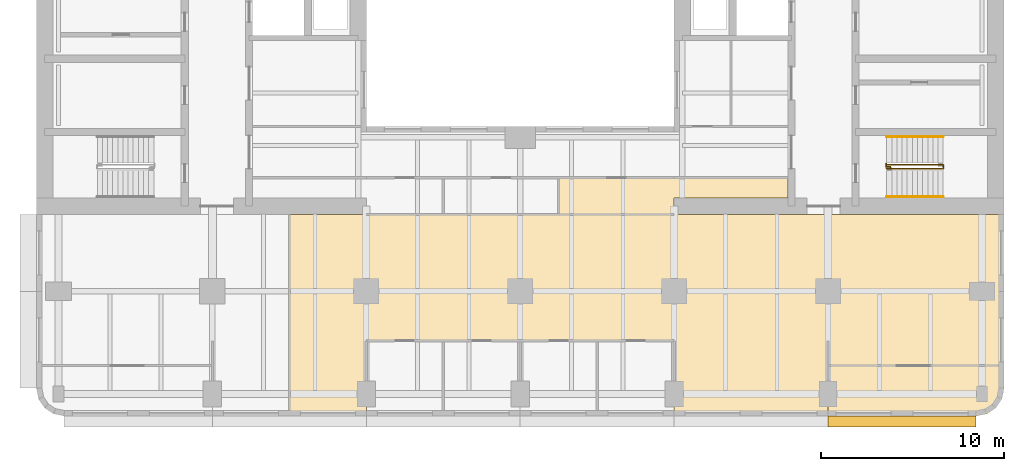
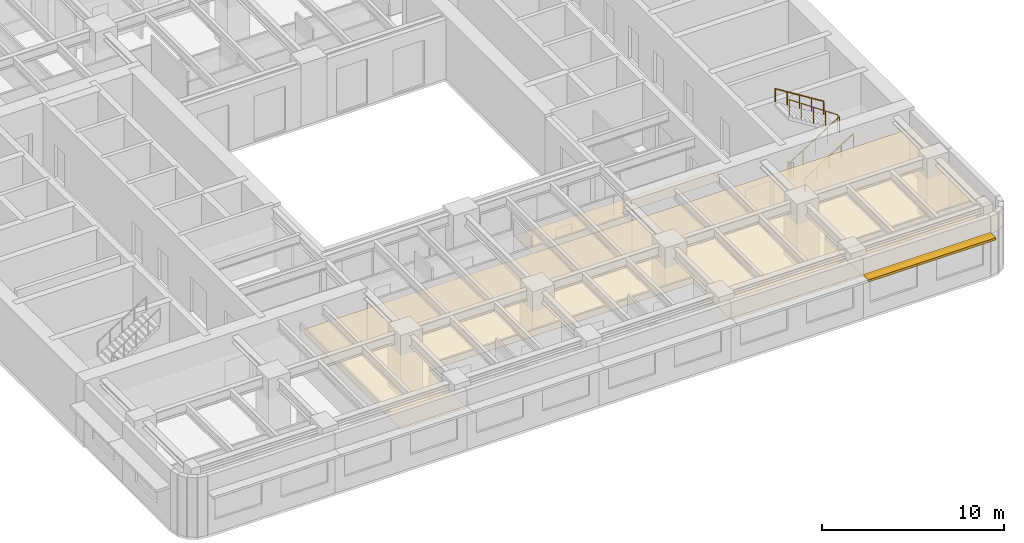
# One storey, part 10 of 11: 4 railings, 3 coverings, 1 shading device.
"""IFC4 building model written with IfcOpenShell, lengths in metres."""

import ifcopenshell
import ifcopenshell.guid

model = None  # the IFC model being written
_history = None  # IfcOwnerHistory: only IFC2X3 demands one
_inside = {}  # id of a spatial element -> (the spatial element, [elements in it])
_under = {}  # id of a project, library or spatial element -> (it, [spatial elements below it])
_declared = {}  # id of a project -> (the project, [libraries it declares])
_typed = {}  # id of a type object -> (the type object, [elements of that type])
_made_of = {}  # id of a material, layer set ... -> (it, [elements and type objects made of it])


def new_model(schema):
    """Start an empty IFC model of exactly this schema.

    Asked for "IFC4X3", IfcOpenShell would pick the latest addendum, in which some entities
    have other attributes; the version numbers below select the first issue.
    IFC2X3 requires an IfcOwnerHistory on every rooted entity: one is made here for all.
    """
    global model, _history
    if schema == "IFC4X3":
        model = ifcopenshell.file(schema_version=(4, 3, 0, 0))
    else:
        model = ifcopenshell.file(schema=schema)
    _inside.clear()
    _under.clear()
    _declared.clear()
    _typed.clear()
    _made_of.clear()
    _history = None
    if model.schema == "IFC2X3":
        org = make("IfcOrganization", Name="unknown")
        user = make(
            "IfcPersonAndOrganization",
            ThePerson=make("IfcPerson", FamilyName="unknown"),
            TheOrganization=org,
        )
        app = make(
            "IfcApplication",
            ApplicationDeveloper=org,
            Version="unknown",
            ApplicationFullName="unknown",
            ApplicationIdentifier="unknown",
        )
        _history = make(
            "IfcOwnerHistory",
            OwningUser=user,
            OwningApplication=app,
            ChangeAction="ADDED",
            CreationDate=0,
        )
    return model


def make(cls, **values):
    """One entity of the class cls with the attributes given. An attribute that is None is left unset."""
    return model.create_entity(
        cls, **{name: value for name, value in values.items() if value is not None}
    )


def rooted(cls, **values):
    """An entity with a GlobalId (a new one), such as an element, a storey or a relation."""
    return make(cls, GlobalId=ifcopenshell.guid.new(), OwnerHistory=_history, **values)


def si_unit(unit_type, name, prefix=None):
    """IfcSIUnit, for example si_unit("LENGTHUNIT", "METRE", prefix="MILLI")."""
    return make("IfcSIUnit", UnitType=unit_type, Prefix=prefix, Name=name)


def assignment(units):
    """IfcUnitAssignment: the units of a project."""
    return None if units is None else make("IfcUnitAssignment", Units=units)


def point(xyz):
    """IfcCartesianPoint."""
    return None if xyz is None else make("IfcCartesianPoint", Coordinates=xyz)


def direction(xyz):
    """IfcDirection."""
    return None if xyz is None else make("IfcDirection", DirectionRatios=xyz)


def frame(location, z_axis=None, x_axis=None):
    """IfcAxis2Placement3D, a coordinate frame: its origin and axes. An axis left out is left unset."""
    return make(
        "IfcAxis2Placement3D",
        Location=point(location),
        Axis=direction(z_axis),
        RefDirection=direction(x_axis),
    )


def frame_2d(location, x_axis=None):
    """IfcAxis2Placement2D, a coordinate frame in the plane: its origin and x axis."""
    return make(
        "IfcAxis2Placement2D", Location=point(location), RefDirection=direction(x_axis)
    )


def origin():
    """The frame at (0, 0, 0) with its axes left unset."""
    return frame((0.0, 0.0, 0.0))


def origin_2d():
    """The frame at (0, 0) in the plane with its x axis left unset."""
    return frame_2d((0.0, 0.0))


def place(relative_to, where):
    """IfcLocalPlacement: puts the frame where relative to a parent placement (None: the world)."""
    return make(
        "IfcLocalPlacement", PlacementRelTo=relative_to, RelativePlacement=where
    )


def context(
    kind, dimensions, precision=None, world=None, true_north=None, identifier=None
):
    """IfcGeometricRepresentationContext, for example the 3D "Model" context."""
    return make(
        "IfcGeometricRepresentationContext",
        ContextIdentifier=identifier,
        ContextType=kind,
        CoordinateSpaceDimension=dimensions,
        Precision=precision,
        WorldCoordinateSystem=world,
        TrueNorth=true_north,
    )


def subcontext(parent, identifier, kind, view, scale=None):
    """IfcGeometricRepresentationSubContext, for example "Body" below "Model"."""
    return make(
        "IfcGeometricRepresentationSubContext",
        ContextIdentifier=identifier,
        ContextType=kind,
        ParentContext=parent,
        TargetScale=scale,
        TargetView=view,
    )


def project(units=None, contexts=None):
    """IfcProject with its units and contexts."""
    return rooted(
        "IfcProject",
        Name="project",
        RepresentationContexts=contexts,
        UnitsInContext=assignment(units),
    )


def spatial(cls, under=None, at=None, **own):
    """A site, building, storey or space (cls), placed at a placement, below another one or the project."""
    s = rooted(cls, ObjectPlacement=at, **own)
    if under is not None:
        _under.setdefault(under.id(), (under, []))[1].append(s)
    return s


def polyline(points):
    """IfcPolyline through the points."""
    return make("IfcPolyline", Points=[point(p) for p in points])


def profile(cls, at=None, kind="AREA", **sizes):
    """A parametric profile (cls). Its sizes go by their IFC names, for example OverallWidth=200.0."""
    return make(cls, ProfileType=kind, Position=at, **sizes)


def rectangle(**sizes):
    """IfcRectangleProfileDef."""
    return profile("IfcRectangleProfileDef", **sizes)


def circle(**sizes):
    """IfcCircleProfileDef."""
    return profile("IfcCircleProfileDef", **sizes)


def outline(outer, holes=None, kind="AREA"):
    """IfcArbitraryClosedProfileDef: a profile drawn as a closed curve; with holes, ...WithVoids."""
    if holes is None:
        return make("IfcArbitraryClosedProfileDef", ProfileType=kind, OuterCurve=outer)
    return make(
        "IfcArbitraryProfileDefWithVoids",
        ProfileType=kind,
        OuterCurve=outer,
        InnerCurves=holes,
    )


def extrude(swept, where, along, depth):
    """IfcExtrudedAreaSolid: the profile swept, set in the frame where, extruded along a direction by depth."""
    return make(
        "IfcExtrudedAreaSolid",
        SweptArea=swept,
        Position=where,
        ExtrudedDirection=direction(along),
        Depth=depth,
    )


def shape(context_of_items, identifier, shape_type, items):
    """IfcShapeRepresentation: the items that make up one representation, for example the "Body"."""
    return make(
        "IfcShapeRepresentation",
        ContextOfItems=context_of_items,
        RepresentationIdentifier=identifier,
        RepresentationType=shape_type,
        Items=items,
    )


def material(Name=None, Category=None):
    """IfcMaterial."""
    return make("IfcMaterial", Name=Name, Category=Category)


def layer(
    of_material, thickness, ventilated=None, Name=None, Category=None, Priority=None
):
    """IfcMaterialLayer: one layer of a wall or slab, of a material (None: an air gap)."""
    return make(
        "IfcMaterialLayer",
        Material=of_material,
        LayerThickness=thickness,
        IsVentilated=ventilated,
        Name=Name,
        Category=Category,
        Priority=Priority,
    )


def layer_set(layers, Name=None):
    """IfcMaterialLayerSet."""
    return make("IfcMaterialLayerSet", MaterialLayers=layers, LayerSetName=Name)


def made_of(thing, what):
    """Note that an element or type object is made of a material, layer set ...; save() writes the relation."""
    if what is not None:
        _made_of.setdefault(what.id(), (what, []))[1].append(thing)
    return thing


def type_object(cls, material=None, **own):
    """A type object (cls), such as IfcWallType, which elements share."""
    return made_of(rooted(cls, **own), material)


def element(
    cls,
    number,
    at=None,
    inside=None,
    cuts=None,
    type_object=None,
    material=None,
    context=None,
    identifier="Body",
    shape_type=None,
    held_by="IfcProductDefinitionShape",
    body=None,
    shapes=None,
    **own,
):
    """One element of the class cls, such as IfcWall. Its Tag is "e" and its number.

    at: its placement. inside: the storey or other place that contains it. cuts: it is an
    opening in that element (IfcRelVoidsElement). A single representation is given by context,
    identifier, shape_type and body (its items); several are given by shapes. held_by: the class
    of the entity that holds the representations. save() writes the other relations.
    """
    e = rooted(cls, Tag="e%d" % number, ObjectPlacement=at, **own)
    if body is not None:
        shapes = [shape(context, identifier, shape_type, body)]
    if shapes is not None:
        e.Representation = make(held_by, Representations=shapes)
    if inside is not None:
        _inside.setdefault(inside.id(), (inside, []))[1].append(e)
    if cuts is not None:
        rooted(
            "IfcRelVoidsElement", RelatingBuildingElement=cuts, RelatedOpeningElement=e
        )
    if type_object is not None:
        _typed.setdefault(type_object.id(), (type_object, []))[1].append(e)
    return made_of(e, material)


def aggregate(whole, parts):
    """IfcRelAggregates: a whole, such as a stair, and the parts it consists of."""
    return rooted("IfcRelAggregates", RelatingObject=whole, RelatedObjects=parts)


def save(model, path):
    """Write the relations noted so far, then the file.

    IfcRelAggregates (storeys below a building ...), IfcRelContainedInSpatialStructure (elements
    in a storey), IfcRelDefinesByType, IfcRelAssociatesMaterial and IfcRelDeclares: one each for
    every whole, place, type object, material and project.
    """
    for whole, parts in _under.values():
        aggregate(whole, parts)
    for where, things in _inside.values():
        rooted(
            "IfcRelContainedInSpatialStructure",
            RelatedElements=things,
            RelatingStructure=where,
        )
    for kind, things in _typed.values():
        rooted("IfcRelDefinesByType", RelatedObjects=things, RelatingType=kind)
    for what, things in _made_of.values():
        rooted("IfcRelAssociatesMaterial", RelatedObjects=things, RelatingMaterial=what)
    for by, libraries in _declared.values():
        rooted("IfcRelDeclares", RelatingContext=by, RelatedDefinitions=libraries)
    model.write(path)


model = new_model("IFC4")

# Units and contexts
model_context = context("Model", 3, precision=1e-05, world=origin(), true_north=direction((0.0, 1.0)))
body_context = subcontext(model_context, "Body", "Model", "MODEL_VIEW")
ifc_project = project(units=[si_unit("LENGTHUNIT", "METRE"), si_unit("AREAUNIT", "SQUARE_METRE"), si_unit("VOLUMEUNIT", "CUBIC_METRE"), si_unit("PLANEANGLEUNIT", "RADIAN"), si_unit("MASSUNIT", "GRAM", prefix="KILO")], contexts=[model_context])

# Site, building, storey
site_placement = place(None, origin())
site = spatial("IfcSite", under=ifc_project, at=site_placement, CompositionType="ELEMENT")
building_placement = place(site_placement, origin())
building = spatial("IfcBuilding", under=site, at=building_placement, Name="Claustro Exchange Tower", CompositionType="ELEMENT")
storey_placement = place(building_placement, frame((0.0, 0.0, 163.800048828125)))
storey = spatial("IfcBuildingStorey", under=building, at=storey_placement, Name="L37", CompositionType="ELEMENT", Elevation=163.800048828125)

# Coverings
ifc_material_1 = material(Name="Gypsum board ceiling", Category="gypsum board")
ifc_layer_1 = layer(ifc_material_1, 0.02490234375)
ifc_layer_set_1 = layer_set([ifc_layer_1], Name="Gypsum board ceiling")
covering_type = type_object("IfcCoveringType", Name="CL2 plasterboard ceiling", PredefinedType="CEILING", material=ifc_layer_set_1)
covering_1_placement = place(storey_placement, frame((0.0, 0.0, 2.800048828125)))
element("IfcCovering", 1, at=covering_1_placement, inside=storey, type_object=covering_type, Name="Ceiling CL2 L37-02", PredefinedType="CEILING", context=body_context, shape_type="SweptSolid", body=[
    extrude(outline(polyline([(51.60009765625, 3.10009765625), (51.60009765625, 4.35009765625), (42.0, 4.35009765625), (42.0, 1.60009765625), (50.10009765625, 1.60009765625), (50.674072265625, 1.714111328125), (51.16064453125, 2.039306640625), (51.48583984375, 2.52587890625), (51.60009765625, 3.10009765625)])), origin(), (0.0, 0.0, 1.0), 0.02490234375),
])
covering_2_placement = place(storey_placement, frame((0.0, 0.0, 2.800048828125)))
element("IfcCovering", 2, at=covering_2_placement, inside=storey, type_object=covering_type, Name="Ceiling CL2 L37-07", PredefinedType="CEILING", context=body_context, shape_type="SweptSolid", body=[
    extrude(outline(polyline([(51.60009765625, 12.60009765625), (39.800048828125, 12.60009765625), (12.60009765625, 12.60009765625), (12.60009765625, 1.60009765625), (16.800048828125, 1.60009765625), (16.800048828125, 5.699951171875), (21.0, 5.699951171875), (25.199951171875, 5.699951171875), (29.39990234375, 5.699951171875), (33.60009765625, 5.699951171875), (33.60009765625, 1.60009765625), (42.0, 1.60009765625), (42.0, 4.35009765625), (51.60009765625, 4.35009765625), (51.60009765625, 12.60009765625)])), origin(), (0.0, 0.0, 1.0), 0.02490234375),
])
covering_3_placement = place(storey_placement, frame((0.0, 0.0, 2.800048828125)))
element("IfcCovering", 3, at=covering_3_placement, inside=storey, type_object=covering_type, Name="Ceiling CL2 L37-11", PredefinedType="CEILING", context=body_context, shape_type="SweptSolid", body=[
    extrude(outline(polyline([(39.800048828125, 13.5), (39.800048828125, 14.60009765625), (33.60009765625, 14.60009765625), (33.60009765625, 14.60009765625), (27.300048828125, 14.60009765625), (27.300048828125, 12.60009765625), (33.60009765625, 12.60009765625), (33.60009765625, 13.5), (39.800048828125, 13.5)])), origin(), (0.0, 0.0, 1.0), 0.02490234375),
])

# Railings
ifc_material_2 = material(Name="Steel balustrade, painted", Category="steel")
railing_type_1 = type_object("IfcRailingType", Name="GR2 1100 steel stair guard", PredefinedType="GUARDRAIL", material=ifc_material_2)
railing_1_placement = place(storey_placement, frame((45.199951171875, 15.10009765625, 0.175048828125)))
element("IfcRailing", 4, at=railing_1_placement, inside=storey, type_object=railing_type_1, Name="Stair well guard GR2 stair STEA L37", PredefinedType="GUARDRAIL", context=body_context, shape_type="SweptSolid", body=[
    extrude(circle(Radius=0.02392578125, at=origin_2d()), frame((0.0, 0.0, 1.076171875), z_axis=(0.848028513186, 0.0, 0.529950602248), x_axis=(0.0, 1.0, 0.0)), (0.0, 0.0, 1.0), 3.632080078125),
    extrude(circle(Radius=0.02392578125, at=origin_2d()), frame((3.080078125, 0.0, 3.0009765625), z_axis=(0.0, 1.0, 0.0), x_axis=(-1.0, 0.0, 0.0)), (0.0, 0.0, 1.0), 0.199951171875),
    extrude(circle(Radius=0.02392578125, at=origin_2d()), frame((3.080078125, 0.199951171875, 3.0009765625), z_axis=(-0.826221800596, 0.0, 0.563344953133), x_axis=(0.0, -1.0, 0.0)), (0.0, 0.0, 1.0), 3.72802734375),
    extrude(circle(Radius=0.02099609375, at=origin_2d()), origin(), (0.0, 0.0, 1.0), 1.052001953125),
    extrude(circle(Radius=0.02099609375, at=origin_2d()), frame((0.77001953125, 0.0, 0.481201171875)), (0.0, 0.0, 1.0), 1.052001953125),
    extrude(circle(Radius=0.02099609375, at=origin_2d()), frame((1.5400390625, 0.0, 0.96240234375)), (0.0, 0.0, 1.0), 1.052001953125),
    extrude(circle(Radius=0.02099609375, at=origin_2d()), frame((2.31005859375, 0.0, 1.443603515625)), (0.0, 0.0, 1.0), 1.052001953125),
    extrude(circle(Radius=0.02099609375, at=origin_2d()), frame((3.080078125, 0.0, 1.9248046875)), (0.0, 0.0, 1.0), 1.052001953125),
    extrude(circle(Radius=0.02099609375, at=origin_2d()), frame((3.080078125, 0.199951171875, 1.9248046875)), (0.0, 0.0, 1.0), 1.052001953125),
    extrude(circle(Radius=0.02099609375, at=origin_2d()), frame((2.31005859375, 0.199951171875, 2.44970703125)), (0.0, 0.0, 1.0), 1.052001953125),
    extrude(circle(Radius=0.02099609375, at=origin_2d()), frame((1.5400390625, 0.199951171875, 2.974853515625)), (0.0, 0.0, 1.0), 1.052001953125),
    extrude(circle(Radius=0.02099609375, at=origin_2d()), frame((0.77001953125, 0.199951171875, 3.5)), (0.0, 0.0, 1.0), 1.052001953125),
    extrude(circle(Radius=0.02099609375, at=origin_2d()), frame((0.0, 0.199951171875, 4.02490234375)), (0.0, 0.0, 1.0), 1.052001953125),
])
railing_2_placement = place(storey_placement, frame((45.39990234375, 15.169921875, 0.0)))
element("IfcRailing", 5, at=railing_2_placement, inside=storey, type_object=railing_type_1, Name="Stair guard GR2 STEA L37", PredefinedType="GUARDRAIL", context=body_context, shape_type="SweptSolid", body=[
    extrude(circle(Radius=0.02392578125, at=origin_2d()), frame((0.0, 0.0, 1.076171875), z_axis=(0.0, 1.0, 0.0), x_axis=(-1.0, 0.0, 0.0)), (0.0, 0.0, 1.0), 0.030029296875),
    extrude(circle(Radius=0.02392578125, at=origin_2d()), frame((0.0, 0.030029296875, 1.076171875), z_axis=(-1.0, 0.0, 0.0), x_axis=(0.0, -1.0, 0.0)), (0.0, 0.0, 1.0), 0.224853515625),
    extrude(circle(Radius=0.02392578125, at=origin_2d()), frame((-0.224853515625, 0.030029296875, 1.076171875), z_axis=(0.0, 1.0, 0.0), x_axis=(-1.0, 0.0, 0.0)), (0.0, 0.0, 1.0), 0.179931640625),
    extrude(circle(Radius=0.02099609375, at=origin_2d()), origin(), (0.0, 0.0, 1.0), 1.052001953125),
    extrude(circle(Radius=0.02099609375, at=origin_2d()), frame((0.0, 0.030029296875, 0.0)), (0.0, 0.0, 1.0), 1.052001953125),
    extrude(circle(Radius=0.02099609375, at=origin_2d()), frame((-0.224853515625, 0.030029296875, 0.0)), (0.0, 0.0, 1.0), 1.052001953125),
    extrude(circle(Radius=0.02099609375, at=origin_2d()), frame((-0.224853515625, 0.2099609375, 0.0)), (0.0, 0.0, 1.0), 1.052001953125),
])
ifc_material_3 = material(Name="Stainless steel tube", Category="steel")
railing_type_2 = type_object("IfcRailingType", Name="HR1 900 stair handrail", PredefinedType="HANDRAIL", material=ifc_material_3)
railing_3_placement = place(storey_placement, frame((45.199951171875, 13.56005859375, 0.175048828125)))
element("IfcRailing", 6, at=railing_3_placement, inside=storey, type_object=railing_type_2, Name="Handrail HR1 stair STEA L37", PredefinedType="HANDRAIL", context=body_context, shape_type="SweptSolid", body=[
    extrude(circle(Radius=0.02392578125, at=origin_2d()), frame((0.0, 0.0, 0.8759765625), z_axis=(0.848028513186, 0.0, 0.529950602248), x_axis=(0.0, 1.0, 0.0)), (0.0, 0.0, 1.0), 3.632080078125),
    extrude(circle(Radius=0.02099609375, at=origin_2d()), origin(), (0.0, 0.0, 1.0), 0.851806640625),
    extrude(circle(Radius=0.02099609375, at=origin_2d()), frame((0.77001953125, 0.0, 0.481201171875)), (0.0, 0.0, 1.0), 0.851806640625),
    extrude(circle(Radius=0.02099609375, at=origin_2d()), frame((1.5400390625, 0.0, 0.96240234375)), (0.0, 0.0, 1.0), 0.851806640625),
    extrude(circle(Radius=0.02099609375, at=origin_2d()), frame((2.31005859375, 0.0, 1.443603515625)), (0.0, 0.0, 1.0), 0.851806640625),
    extrude(circle(Radius=0.02099609375, at=origin_2d()), frame((3.080078125, 0.0, 1.9248046875)), (0.0, 0.0, 1.0), 0.851806640625),
])
railing_4_placement = place(storey_placement, frame((48.280029296875, 16.840087890625, 2.27490234375)))
element("IfcRailing", 7, at=railing_4_placement, inside=storey, type_object=railing_type_2, Name="Handrail HR1 stair STEA L37", PredefinedType="HANDRAIL", context=body_context, shape_type="SweptSolid", body=[
    extrude(circle(Radius=0.02392578125, at=origin_2d()), frame((0.0, 0.0, 0.8759765625), z_axis=(-0.847998304005, 0.0, 0.529998940003), x_axis=(0.0, -1.0, 0.0)), (0.0, 0.0, 1.0), 3.632080078125),
    extrude(circle(Radius=0.02099609375, at=origin_2d()), origin(), (0.0, 0.0, 1.0), 0.851806640625),
    extrude(circle(Radius=0.02099609375, at=origin_2d()), frame((-0.77001953125, 0.0, 0.481201171875)), (0.0, 0.0, 1.0), 0.851806640625),
    extrude(circle(Radius=0.02099609375, at=origin_2d()), frame((-1.5400390625, 0.0, 0.96240234375)), (0.0, 0.0, 1.0), 0.851806640625),
    extrude(circle(Radius=0.02099609375, at=origin_2d()), frame((-2.31005859375, 0.0, 1.44384765625)), (0.0, 0.0, 1.0), 0.851806640625),
    extrude(circle(Radius=0.02099609375, at=origin_2d()), frame((-3.080078125, 0.0, 1.925048828125)), (0.0, 0.0, 1.0), 0.851806640625),
])

# Shading device
ifc_material_4 = material(Name="Concrete HA-40 (C40/50), precast, white cement, acid-etched", Category="concrete")
ifc_layer_2 = layer(ifc_material_4, 0.14990234375)
ifc_layer_set_2 = layer_set([ifc_layer_2], Name="Concrete HA-40 (C40/50), precast, white cement, acid-etched")
shading_device_type = type_object("IfcShadingDeviceType", Name="SS1 600 precast concrete SUNSHADE", PredefinedType="SHUTTER", material=ifc_layer_set_2)
shading_device_placement = place(storey_placement, frame((46.04248046875, 1.300048828125, 2.800048828125), z_axis=(0.0, 0.0, 1.0), x_axis=(-1.0, 0.0, 0.0)))
element("IfcShadingDevice", 8, at=shading_device_placement, inside=storey, type_object=shading_device_type, Name="Precast SUNSHADE SS1 L37", PredefinedType="SHUTTER", context=body_context, shape_type="SweptSolid", body=[
    extrude(rectangle(XDim=8.085205078125, YDim=0.60009765625, at=origin_2d()), origin(), (0.0, 0.0, 1.0), 0.14990234375),
])

save(model, "model.ifc")
